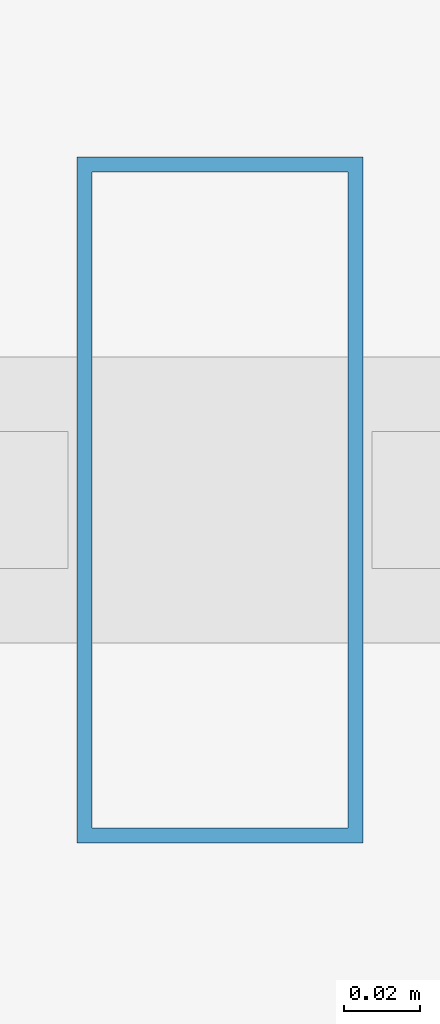
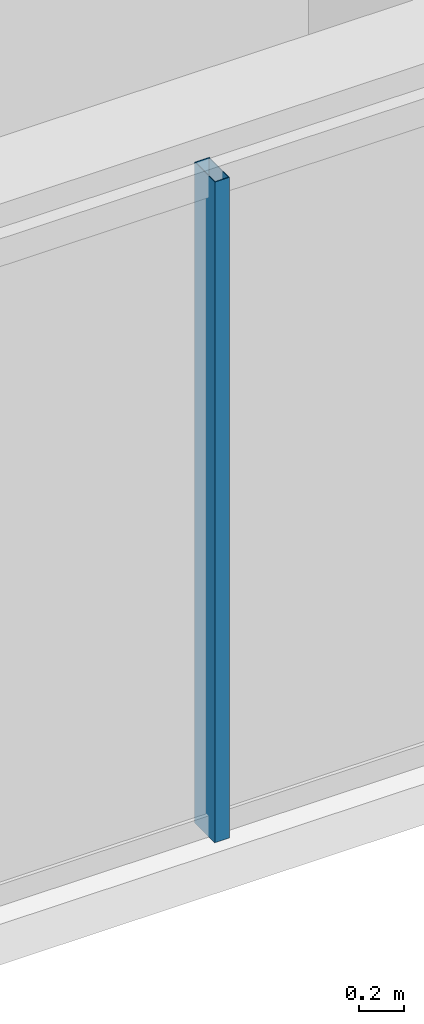
# One storey, part 4 of 31: 1 member, 1 element without a shape of its own.
"""IFC4 building model written with IfcOpenShell, lengths in metres."""

import ifcopenshell
import ifcopenshell.guid

model = None  # the IFC model being written
_history = None  # IfcOwnerHistory: only IFC2X3 demands one
_inside = {}  # id of a spatial element -> (the spatial element, [elements in it])
_under = {}  # id of a project, library or spatial element -> (it, [spatial elements below it])
_declared = {}  # id of a project -> (the project, [libraries it declares])
_typed = {}  # id of a type object -> (the type object, [elements of that type])
_made_of = {}  # id of a material, layer set ... -> (it, [elements and type objects made of it])


def new_model(schema):
    """Start an empty IFC model of exactly this schema.

    Asked for "IFC4X3", IfcOpenShell would pick the latest addendum, in which some entities
    have other attributes; the version numbers below select the first issue.
    IFC2X3 requires an IfcOwnerHistory on every rooted entity: one is made here for all.
    """
    global model, _history
    if schema == "IFC4X3":
        model = ifcopenshell.file(schema_version=(4, 3, 0, 0))
    else:
        model = ifcopenshell.file(schema=schema)
    _inside.clear()
    _under.clear()
    _declared.clear()
    _typed.clear()
    _made_of.clear()
    _history = None
    if model.schema == "IFC2X3":
        org = make("IfcOrganization", Name="unknown")
        user = make(
            "IfcPersonAndOrganization",
            ThePerson=make("IfcPerson", FamilyName="unknown"),
            TheOrganization=org,
        )
        app = make(
            "IfcApplication",
            ApplicationDeveloper=org,
            Version="unknown",
            ApplicationFullName="unknown",
            ApplicationIdentifier="unknown",
        )
        _history = make(
            "IfcOwnerHistory",
            OwningUser=user,
            OwningApplication=app,
            ChangeAction="ADDED",
            CreationDate=0,
        )
    return model


def make(cls, **values):
    """One entity of the class cls with the attributes given. An attribute that is None is left unset."""
    return model.create_entity(
        cls, **{name: value for name, value in values.items() if value is not None}
    )


def rooted(cls, **values):
    """An entity with a GlobalId (a new one), such as an element, a storey or a relation."""
    return make(cls, GlobalId=ifcopenshell.guid.new(), OwnerHistory=_history, **values)


def si_unit(unit_type, name, prefix=None):
    """IfcSIUnit, for example si_unit("LENGTHUNIT", "METRE", prefix="MILLI")."""
    return make("IfcSIUnit", UnitType=unit_type, Prefix=prefix, Name=name)


def assignment(units):
    """IfcUnitAssignment: the units of a project."""
    return None if units is None else make("IfcUnitAssignment", Units=units)


def point(xyz):
    """IfcCartesianPoint."""
    return None if xyz is None else make("IfcCartesianPoint", Coordinates=xyz)


def direction(xyz):
    """IfcDirection."""
    return None if xyz is None else make("IfcDirection", DirectionRatios=xyz)


def frame(location, z_axis=None, x_axis=None):
    """IfcAxis2Placement3D, a coordinate frame: its origin and axes. An axis left out is left unset."""
    return make(
        "IfcAxis2Placement3D",
        Location=point(location),
        Axis=direction(z_axis),
        RefDirection=direction(x_axis),
    )


def frame_2d(location, x_axis=None):
    """IfcAxis2Placement2D, a coordinate frame in the plane: its origin and x axis."""
    return make(
        "IfcAxis2Placement2D", Location=point(location), RefDirection=direction(x_axis)
    )


def origin():
    """The frame at (0, 0, 0) with its axes left unset."""
    return frame((0.0, 0.0, 0.0))


def origin_2d():
    """The frame at (0, 0) in the plane with its x axis left unset."""
    return frame_2d((0.0, 0.0))


def place(relative_to, where):
    """IfcLocalPlacement: puts the frame where relative to a parent placement (None: the world)."""
    return make(
        "IfcLocalPlacement", PlacementRelTo=relative_to, RelativePlacement=where
    )


def context(
    kind, dimensions, precision=None, world=None, true_north=None, identifier=None
):
    """IfcGeometricRepresentationContext, for example the 3D "Model" context."""
    return make(
        "IfcGeometricRepresentationContext",
        ContextIdentifier=identifier,
        ContextType=kind,
        CoordinateSpaceDimension=dimensions,
        Precision=precision,
        WorldCoordinateSystem=world,
        TrueNorth=true_north,
    )


def subcontext(parent, identifier, kind, view, scale=None):
    """IfcGeometricRepresentationSubContext, for example "Body" below "Model"."""
    return make(
        "IfcGeometricRepresentationSubContext",
        ContextIdentifier=identifier,
        ContextType=kind,
        ParentContext=parent,
        TargetScale=scale,
        TargetView=view,
    )


def project(units=None, contexts=None):
    """IfcProject with its units and contexts."""
    return rooted(
        "IfcProject",
        Name="project",
        RepresentationContexts=contexts,
        UnitsInContext=assignment(units),
    )


def spatial(cls, under=None, at=None, **own):
    """A site, building, storey or space (cls), placed at a placement, below another one or the project."""
    s = rooted(cls, ObjectPlacement=at, **own)
    if under is not None:
        _under.setdefault(under.id(), (under, []))[1].append(s)
    return s


def profile(cls, at=None, kind="AREA", **sizes):
    """A parametric profile (cls). Its sizes go by their IFC names, for example OverallWidth=200.0."""
    return make(cls, ProfileType=kind, Position=at, **sizes)


def hollow_rectangle(**sizes):
    """IfcRectangleHollowProfileDef."""
    return profile("IfcRectangleHollowProfileDef", **sizes)


def extrude(swept, where, along, depth):
    """IfcExtrudedAreaSolid: the profile swept, set in the frame where, extruded along a direction by depth."""
    return make(
        "IfcExtrudedAreaSolid",
        SweptArea=swept,
        Position=where,
        ExtrudedDirection=direction(along),
        Depth=depth,
    )


def shape(context_of_items, identifier, shape_type, items):
    """IfcShapeRepresentation: the items that make up one representation, for example the "Body"."""
    return make(
        "IfcShapeRepresentation",
        ContextOfItems=context_of_items,
        RepresentationIdentifier=identifier,
        RepresentationType=shape_type,
        Items=items,
    )


def material(Name=None, Category=None):
    """IfcMaterial."""
    return make("IfcMaterial", Name=Name, Category=Category)


def layer(
    of_material, thickness, ventilated=None, Name=None, Category=None, Priority=None
):
    """IfcMaterialLayer: one layer of a wall or slab, of a material (None: an air gap)."""
    return make(
        "IfcMaterialLayer",
        Material=of_material,
        LayerThickness=thickness,
        IsVentilated=ventilated,
        Name=Name,
        Category=Category,
        Priority=Priority,
    )


def layer_set(layers, Name=None):
    """IfcMaterialLayerSet."""
    return make("IfcMaterialLayerSet", MaterialLayers=layers, LayerSetName=Name)


def material_profile(
    of_material, cross_section, Name=None, Category=None, Priority=None
):
    """IfcMaterialProfile: a cross section and its material."""
    return make(
        "IfcMaterialProfile",
        Name=Name,
        Material=of_material,
        Profile=cross_section,
        Priority=Priority,
        Category=Category,
    )


def profile_set(profiles, Name=None, composite=None):
    """IfcMaterialProfileSet."""
    return make(
        "IfcMaterialProfileSet",
        Name=Name,
        MaterialProfiles=profiles,
        CompositeProfile=composite,
    )


def made_of(thing, what):
    """Note that an element or type object is made of a material, layer set ...; save() writes the relation."""
    if what is not None:
        _made_of.setdefault(what.id(), (what, []))[1].append(thing)
    return thing


def type_object(cls, material=None, **own):
    """A type object (cls), such as IfcWallType, which elements share."""
    return made_of(rooted(cls, **own), material)


def element(
    cls,
    number,
    at=None,
    inside=None,
    cuts=None,
    type_object=None,
    material=None,
    context=None,
    identifier="Body",
    shape_type=None,
    held_by="IfcProductDefinitionShape",
    body=None,
    shapes=None,
    **own,
):
    """One element of the class cls, such as IfcWall. Its Tag is "e" and its number.

    at: its placement. inside: the storey or other place that contains it. cuts: it is an
    opening in that element (IfcRelVoidsElement). A single representation is given by context,
    identifier, shape_type and body (its items); several are given by shapes. held_by: the class
    of the entity that holds the representations. save() writes the other relations.
    """
    e = rooted(cls, Tag="e%d" % number, ObjectPlacement=at, **own)
    if body is not None:
        shapes = [shape(context, identifier, shape_type, body)]
    if shapes is not None:
        e.Representation = make(held_by, Representations=shapes)
    if inside is not None:
        _inside.setdefault(inside.id(), (inside, []))[1].append(e)
    if cuts is not None:
        rooted(
            "IfcRelVoidsElement", RelatingBuildingElement=cuts, RelatedOpeningElement=e
        )
    if type_object is not None:
        _typed.setdefault(type_object.id(), (type_object, []))[1].append(e)
    return made_of(e, material)


def aggregate(whole, parts):
    """IfcRelAggregates: a whole, such as a stair, and the parts it consists of."""
    return rooted("IfcRelAggregates", RelatingObject=whole, RelatedObjects=parts)


def save(model, path):
    """Write the relations noted so far, then the file.

    IfcRelAggregates (storeys below a building ...), IfcRelContainedInSpatialStructure (elements
    in a storey), IfcRelDefinesByType, IfcRelAssociatesMaterial and IfcRelDeclares: one each for
    every whole, place, type object, material and project.
    """
    for whole, parts in _under.values():
        aggregate(whole, parts)
    for where, things in _inside.values():
        rooted(
            "IfcRelContainedInSpatialStructure",
            RelatedElements=things,
            RelatingStructure=where,
        )
    for kind, things in _typed.values():
        rooted("IfcRelDefinesByType", RelatedObjects=things, RelatingType=kind)
    for what, things in _made_of.values():
        rooted("IfcRelAssociatesMaterial", RelatedObjects=things, RelatingMaterial=what)
    for by, libraries in _declared.values():
        rooted("IfcRelDeclares", RelatingContext=by, RelatedDefinitions=libraries)
    model.write(path)


model = new_model("IFC4")

# Units and contexts
model_context = context("Model", 3, precision=1e-05, world=origin(), true_north=direction((0.0, 1.0)))
body_context = subcontext(model_context, "Body", "Model", "MODEL_VIEW")
ifc_project = project(units=[si_unit("LENGTHUNIT", "METRE"), si_unit("AREAUNIT", "SQUARE_METRE"), si_unit("VOLUMEUNIT", "CUBIC_METRE"), si_unit("PLANEANGLEUNIT", "RADIAN"), si_unit("MASSUNIT", "GRAM", prefix="KILO")], contexts=[model_context])

# Site, building, storey
site_placement = place(None, origin())
site = spatial("IfcSite", under=ifc_project, at=site_placement, CompositionType="ELEMENT")
building_placement = place(site_placement, origin())
building = spatial("IfcBuilding", under=site, at=building_placement, Name="Ndaravel Arena Tower", CompositionType="ELEMENT")
storey_placement = place(building_placement, frame((0.0, 0.0, 142.199951171875)))
storey = spatial("IfcBuildingStorey", under=building, at=storey_placement, Name="L33", CompositionType="ELEMENT", Elevation=142.199951171875)

# Curtain wall, member
ifc_material_1 = material(Name="Aluminium", Category="aluminium")
ifc_layer = layer(ifc_material_1, 0.179931640625)
ifc_layer_set = layer_set([ifc_layer], Name="Aluminium")
curtain_wall_type = type_object("IfcCurtainWallType", Name="CW-SYS-03", PredefinedType="NOTDEFINED", material=ifc_layer_set)
curtain_wall_placement = place(storey_placement, origin())
curtain_wall = element("IfcCurtainWall", 1, at=curtain_wall_placement, inside=storey, type_object=curtain_wall_type, Name="L33 Faceted Crystal Curtain Wall CW-L33-E01", PredefinedType="NOTDEFINED")
ifc_material_2 = material(Name="Aluminium", Category="aluminium")
ifc_material_profile = material_profile(ifc_material_2, hollow_rectangle(XDim=0.074951171875, YDim=0.179931640625, WallThickness=0.00390625, at=origin_2d()), Name="CW MULLION 75x180x4")
ifc_profile_set = profile_set([ifc_material_profile], Name="Aluminium")
member_type = type_object("IfcMemberType", Name="MEM-CW-MUL180", PredefinedType="MULLION", material=ifc_profile_set)
member_placement = place(storey_placement, frame((33.119873046875, 5.159912109375, 0.0), z_axis=(0.0, 0.0, 1.0), x_axis=(1.0, 0.0, 0.0)))
member = element("IfcMember", 2, at=member_placement, type_object=member_type, Name="CW-L33-E01 Mullion 02", PredefinedType="MULLION", context=body_context, shape_type="SweptSolid", body=[
    extrude(hollow_rectangle(XDim=0.074951171875, YDim=0.179931640625, WallThickness=0.00390625, at=origin_2d()), origin(), (0.0, 0.0, 1.0), 3.580078125),
])
aggregate(curtain_wall, [member])

save(model, "model.ifc")
